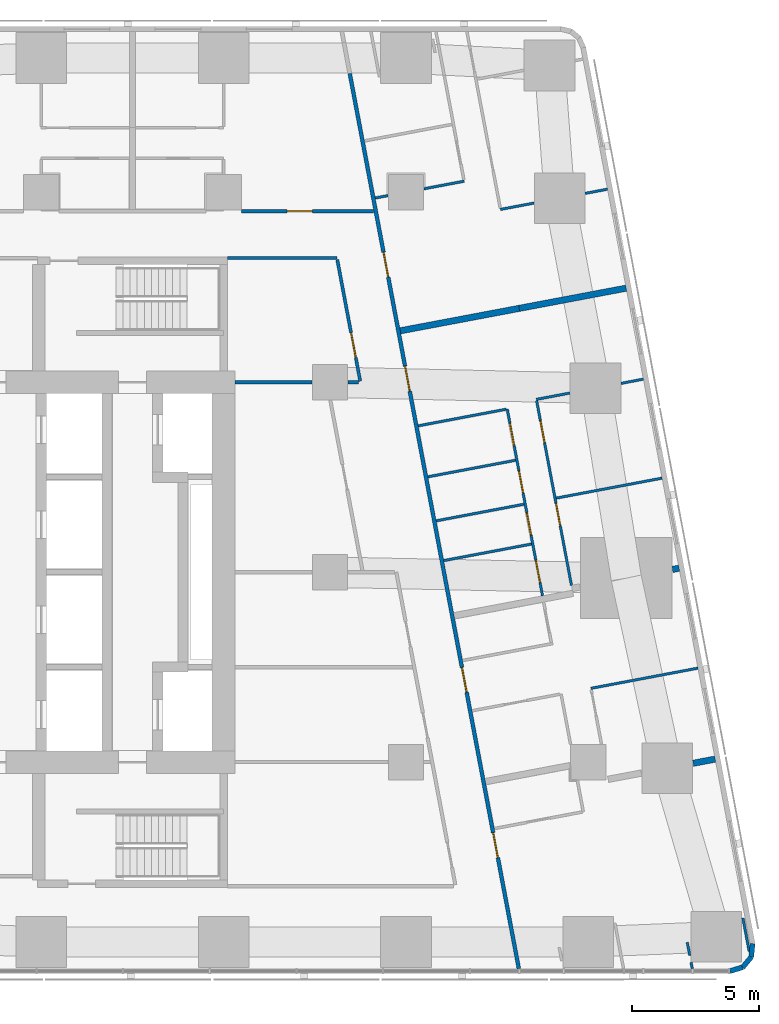
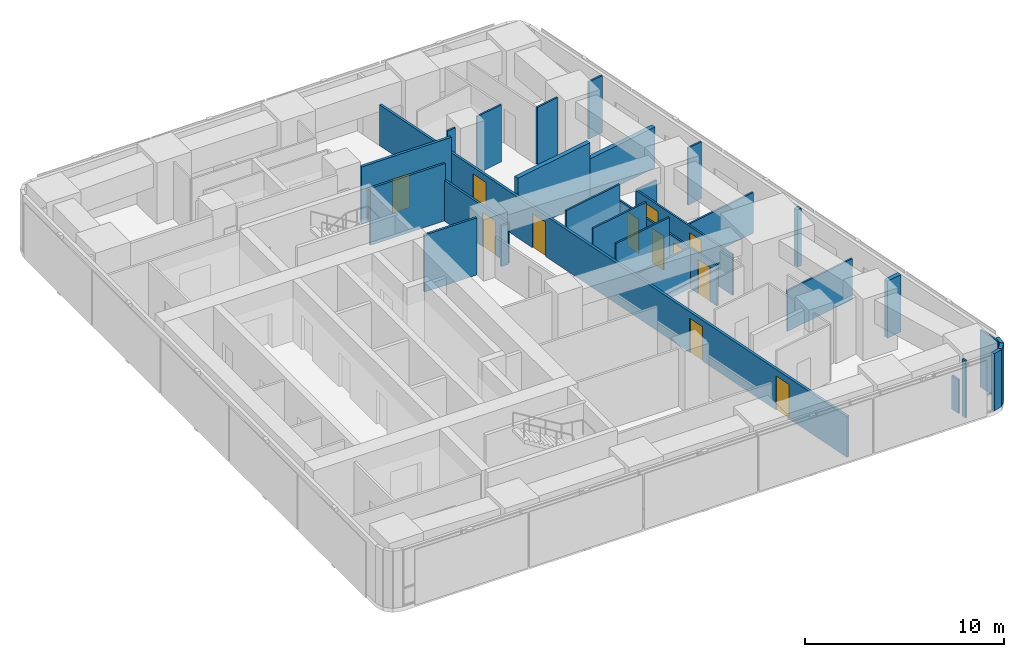
# One storey, part 7 of 11: 30 walls, 12 doors, 12 openings.
"""IFC4 building model written with IfcOpenShell, lengths in metres."""

from ifc_helpers import new_model, si_unit, direction, frame, frame_2d, origin, place, context, subcontext, project, spatial, rectangle, extrude, material, layer, layer_set, type_object, element, fill, save


model = new_model("IFC4")

# Units and contexts
model_context = context("Model", 3, precision=1e-05, world=origin(), true_north=direction((0.0, 1.0)))
body_context = subcontext(model_context, "Body", "Model", "MODEL_VIEW")
ifc_project = project(units=[si_unit("LENGTHUNIT", "METRE"), si_unit("AREAUNIT", "SQUARE_METRE"), si_unit("VOLUMEUNIT", "CUBIC_METRE"), si_unit("PLANEANGLEUNIT", "RADIAN"), si_unit("MASSUNIT", "GRAM", prefix="KILO")], contexts=[model_context])

# Site, building, storey
site_placement = place(None, origin())
site = spatial("IfcSite", under=ifc_project, at=site_placement, CompositionType="ELEMENT")
building_placement = place(site_placement, origin())
building = spatial("IfcBuilding", under=site, at=building_placement, Name="Sheger Commons Tower", CompositionType="ELEMENT")
storey_placement = place(building_placement, frame((0.0, 0.0, 259.10009765625)))
storey = spatial("IfcBuildingStorey", under=building, at=storey_placement, Name="L66", CompositionType="ELEMENT", Elevation=259.10009765625)

# Wall, opening, door
ifc_material_1 = material(Name="Hollow concrete block masonry, skimmed both sides", Category="masonry")
ifc_layer_1 = layer(ifc_material_1, 0.14990234375)
ifc_layer_set_1 = layer_set([ifc_layer_1], Name="CORRIDOR WALL 150")
wall_type_1 = type_object("IfcWallType", Name="CORRIDOR WALL 150", PredefinedType="SOLIDWALL", material=ifc_layer_set_1)
wall_1_placement = place(storey_placement, frame((29.5009765625, 36.75, 0.0), z_axis=(0.0, 0.0, 1.0), x_axis=(1.0, 0.0, 0.0)))
wall_1 = element("IfcWall", 1, at=wall_1_placement, inside=storey, type_object=wall_type_1, Name="Corridor wall L66", PredefinedType="SOLIDWALL", context=body_context, shape_type="SweptSolid", body=[
    extrude(rectangle(XDim=5.216064453125, YDim=0.14990234375, at=frame_2d((2.60791015625, 0.0))), origin(), (0.0, 0.0, 1.0), 3.5),
])
opening_1_placement = place(wall_1_placement, frame((1.802978515625, 0.0, 0.0)))
opening_1 = element("IfcOpeningElement", 2, at=opening_1_placement, cuts=wall_1, Name="Opening D1", PredefinedType="OPENING", context=body_context, shape_type="SweptSolid", body=[
    extrude(rectangle(XDim=1.0, YDim=2.10009765625, at=frame_2d((0.5, 1.050048828125))), frame((0.0, 0.0849609375, 0.0), z_axis=(0.0, -1.0, 0.0), x_axis=(1.0, 0.0, 0.0)), (0.0, 0.0, 1.0), 0.169921875),
])
ifc_material_2 = material(Name="Steel door set, fire rated", Category="steel")
door_type_1 = type_object("IfcDoorType", Name="FLAT ENTRANCE DOOR 1000x2100", OperationType="NOTDEFINED", PredefinedType="DOOR", material=ifc_material_2)
door_1_placement = place(opening_1_placement, origin())
door_1 = element("IfcDoor", 3, at=door_1_placement, inside=storey, type_object=door_type_1, Name="Flat entrance door", OperationType="SINGLE_SWING_LEFT", OverallHeight=2.10009765625, OverallWidth=1.0, PredefinedType="DOOR", context=body_context, shape_type="SweptSolid", body=[
    extrude(rectangle(XDim=1.0, YDim=2.10009765625, at=frame_2d((0.5, 1.050048828125))), frame((0.0, 0.02490234375, 0.0), z_axis=(0.0, -1.0, 0.0), x_axis=(1.0, 0.0, 0.0)), (0.0, 0.0, 1.0), 0.050048828125),
])
fill(opening_1, door_1)

# Wall, openings, doors
wall_2_placement = place(storey_placement, frame((33.781005859375, 42.18603515625, 0.0), z_axis=(0.0, 0.0, 1.0), x_axis=(0.185593518645, -0.9826266055, 0.0)))
wall_2 = element("IfcWall", 4, at=wall_2_placement, inside=storey, type_object=wall_type_1, Name="Corridor wall L66", PredefinedType="SOLIDWALL", context=body_context, shape_type="SweptSolid", body=[
    extrude(rectangle(XDim=35.960693359375, YDim=0.14990234375, at=frame_2d((17.98046875, 0.0))), origin(), (0.0, 0.0, 1.0), 2.5),
])
opening_2_placement = place(wall_2_placement, frame((7.18310546875, 0.0, 0.0)))
opening_2 = element("IfcOpeningElement", 5, at=opening_2_placement, cuts=wall_2, Name="Opening D1", PredefinedType="OPENING", context=body_context, shape_type="SweptSolid", body=[
    extrude(rectangle(XDim=1.0, YDim=2.10009765625, at=frame_2d((0.5, 1.050048828125))), frame((0.0, 0.0849609375, 0.0), z_axis=(0.0, -1.0, 0.0), x_axis=(1.0, 0.0, 0.0)), (0.0, 0.0, 1.0), 0.169921875),
])
opening_3_placement = place(wall_2_placement, frame((11.760009765625, 0.0, 0.0)))
opening_3 = element("IfcOpeningElement", 6, at=opening_3_placement, cuts=wall_2, Name="Opening D1", PredefinedType="OPENING", context=body_context, shape_type="SweptSolid", body=[
    extrude(rectangle(XDim=1.0, YDim=2.10009765625, at=frame_2d((0.5, 1.050048828125))), frame((0.0, 0.0849609375, 0.0), z_axis=(0.0, -1.0, 0.0), x_axis=(1.0, 0.0, 0.0)), (0.0, 0.0, 1.0), 0.169921875),
])
opening_4_placement = place(wall_2_placement, frame((23.863037109375, 0.0, 0.0)))
opening_4 = element("IfcOpeningElement", 7, at=opening_4_placement, cuts=wall_2, Name="Opening D1", PredefinedType="OPENING", context=body_context, shape_type="SweptSolid", body=[
    extrude(rectangle(XDim=1.0, YDim=2.10009765625, at=frame_2d((0.5, 1.050048828125))), frame((0.0, 0.0849609375, 0.0), z_axis=(0.0, -1.0, 0.0), x_axis=(1.0, 0.0, 0.0)), (0.0, 0.0, 1.0), 0.169921875),
])
opening_5_placement = place(wall_2_placement, frame((30.501953125, 0.0, 0.0)))
opening_5 = element("IfcOpeningElement", 8, at=opening_5_placement, cuts=wall_2, Name="Opening D1", PredefinedType="OPENING", context=body_context, shape_type="SweptSolid", body=[
    extrude(rectangle(XDim=1.0, YDim=2.10009765625, at=frame_2d((0.5, 1.050048828125))), frame((0.0, 0.0849609375, 0.0), z_axis=(0.0, -1.0, 0.0), x_axis=(1.0, 0.0, 0.0)), (0.0, 0.0, 1.0), 0.169921875),
])
door_2_placement = place(opening_2_placement, origin())
door_2 = element("IfcDoor", 9, at=door_2_placement, inside=storey, type_object=door_type_1, Name="Flat entrance door", OperationType="SINGLE_SWING_RIGHT", OverallHeight=2.10009765625, OverallWidth=1.0, PredefinedType="DOOR", context=body_context, shape_type="SweptSolid", body=[
    extrude(rectangle(XDim=1.0, YDim=2.10009765625, at=frame_2d((0.5, 1.050048828125))), frame((0.0, 0.02490234375, 0.0), z_axis=(0.0, -1.0, 0.0), x_axis=(1.0, 0.0, 0.0)), (0.0, 0.0, 1.0), 0.050048828125),
])
fill(opening_2, door_2)
door_3_placement = place(opening_3_placement, origin())
door_3 = element("IfcDoor", 10, at=door_3_placement, inside=storey, type_object=door_type_1, Name="Flat entrance door", OperationType="SINGLE_SWING_LEFT", OverallHeight=2.10009765625, OverallWidth=1.0, PredefinedType="DOOR", context=body_context, shape_type="SweptSolid", body=[
    extrude(rectangle(XDim=1.0, YDim=2.10009765625, at=frame_2d((0.5, 1.050048828125))), frame((0.0, 0.02490234375, 0.0), z_axis=(0.0, -1.0, 0.0), x_axis=(1.0, 0.0, 0.0)), (0.0, 0.0, 1.0), 0.050048828125),
])
fill(opening_3, door_3)
door_4_placement = place(opening_4_placement, origin())
door_4 = element("IfcDoor", 11, at=door_4_placement, inside=storey, type_object=door_type_1, Name="Flat entrance door", OperationType="SINGLE_SWING_LEFT", OverallHeight=2.10009765625, OverallWidth=1.0, PredefinedType="DOOR", context=body_context, shape_type="SweptSolid", body=[
    extrude(rectangle(XDim=1.0, YDim=2.10009765625, at=frame_2d((0.5, 1.050048828125))), frame((0.0, 0.02490234375, 0.0), z_axis=(0.0, -1.0, 0.0), x_axis=(1.0, 0.0, 0.0)), (0.0, 0.0, 1.0), 0.050048828125),
])
fill(opening_4, door_4)
door_5_placement = place(opening_5_placement, origin())
door_5 = element("IfcDoor", 12, at=door_5_placement, inside=storey, type_object=door_type_1, Name="Flat entrance door", OperationType="SINGLE_SWING_LEFT", OverallHeight=2.10009765625, OverallWidth=1.0, PredefinedType="DOOR", context=body_context, shape_type="SweptSolid", body=[
    extrude(rectangle(XDim=1.0, YDim=2.10009765625, at=frame_2d((0.5, 1.050048828125))), frame((0.0, 0.02490234375, 0.0), z_axis=(0.0, -1.0, 0.0), x_axis=(1.0, 0.0, 0.0)), (0.0, 0.0, 1.0), 0.050048828125),
])
fill(opening_5, door_5)

# Walls
ifc_material_3 = material(Name="Dense concrete block masonry, plastered both sides (separating wall between flats)", Category="masonry")
ifc_layer_2 = layer(ifc_material_3, 0.25)
ifc_layer_set_2 = layer_set([ifc_layer_2], Name="DEMISING WALL 250")
wall_type_2 = type_object("IfcWallType", Name="DEMISING WALL 250", PredefinedType="SOLIDWALL", material=ifc_layer_set_2)
wall_3_placement = place(storey_placement, frame((44.693115234375, 33.712890625, 0.0), z_axis=(0.0, 0.0, 1.0), x_axis=(-0.982633535512, -0.185556823879, 0.0)))
element("IfcWall", 13, at=wall_3_placement, inside=storey, type_object=wall_type_2, Name="Demising wall L66", PredefinedType="SOLIDWALL", context=body_context, shape_type="SweptSolid", body=[
    extrude(rectangle(XDim=4.2998046875, YDim=0.25, at=frame_2d((2.14990234375, 0.0))), origin(), (0.0, 0.0, 1.0), 2.5),
])
wall_4_placement = place(storey_placement, frame((40.468017578125, 32.9150390625, 0.0), z_axis=(0.0, 0.0, 1.0), x_axis=(-0.982635807605, -0.185544791394, 0.0)))
element("IfcWall", 14, at=wall_4_placement, inside=storey, type_object=wall_type_2, Name="Demising wall L66", PredefinedType="SOLIDWALL", context=body_context, shape_type="SweptSolid", body=[
    extrude(rectangle(XDim=4.775146484375, YDim=0.25, at=frame_2d((2.3876953125, 0.0))), origin(), (0.0, 0.0, 1.0), 3.5),
])
wall_5_placement = place(storey_placement, frame((46.781982421875, 22.656982421875, 0.0), z_axis=(0.0, 0.0, 1.0), x_axis=(-0.982104607121, -0.188336243648, 0.0)))
element("IfcWall", 15, at=wall_5_placement, inside=storey, type_object=wall_type_2, Name="Demising wall L66", PredefinedType="SOLIDWALL", context=body_context, shape_type="SweptSolid", body=[
    extrude(rectangle(XDim=0.265625, YDim=0.25, at=frame_2d((0.1328125, 0.0))), origin(), (0.0, 0.0, 1.0), 3.5),
])
wall_6_placement = place(storey_placement, frame((48.2060546875, 15.1201171875, 0.0), z_axis=(0.0, 0.0, 1.0), x_axis=(-0.982608419258, -0.185689780017, 0.0)))
element("IfcWall", 16, at=wall_6_placement, inside=storey, type_object=wall_type_2, Name="Demising wall L66", PredefinedType="SOLIDWALL", context=body_context, shape_type="SweptSolid", body=[
    extrude(rectangle(XDim=0.883544921875, YDim=0.25, at=frame_2d((0.44189453125, 0.0))), origin(), (0.0, 0.0, 1.0), 3.5),
])
ifc_material_4 = material(Name="Rendered concrete block masonry, dark grey", Category="masonry")
ifc_layer_3 = layer(ifc_material_4, 0.199951171875)
ifc_layer_set_3 = layer_set([ifc_layer_3], Name="FACADE WALL 200")
wall_type_3 = type_object("IfcWallType", Name="FACADE WALL 200", PredefinedType="SOLIDWALL", material=ifc_layer_set_3)
wall_7_placement = place(storey_placement, frame((48.787109375, 6.75, 0.0), z_axis=(0.0, 0.0, 1.0), x_axis=(0.957282247819, 0.289155145225, 0.0)))
element("IfcWall", 17, at=wall_7_placement, inside=storey, type_object=wall_type_3, Name="Facade wall L66", PredefinedType="SOLIDWALL", context=body_context, shape_type="SweptSolid", body=[
    extrude(rectangle(XDim=0.53271484375, YDim=0.199951171875, at=frame_2d((0.266357421875, 0.0))), origin(), (0.0, 0.0, 1.0), 3.5),
])
wall_8_placement = place(storey_placement, frame((49.297119140625, 6.904052734375, 0.0), z_axis=(0.0, 0.0, 1.0), x_axis=(0.639255849474, 0.768994121508, 0.0)))
element("IfcWall", 18, at=wall_8_placement, inside=storey, type_object=wall_type_3, Name="Facade wall L66", PredefinedType="SOLIDWALL", context=body_context, shape_type="SweptSolid", body=[
    extrude(rectangle(XDim=0.517578125, YDim=0.199951171875, at=frame_2d((0.2587890625, 0.0))), origin(), (0.0, 0.0, 1.0), 3.5),
])
wall_9_placement = place(storey_placement, frame((49.6279296875, 7.302001953125, 0.0), z_axis=(0.0, 0.0, 1.0), x_axis=(0.105352390132, 0.994434952068, 0.0)))
element("IfcWall", 19, at=wall_9_placement, inside=storey, type_object=wall_type_3, Name="Facade wall L66", PredefinedType="SOLIDWALL", context=body_context, shape_type="SweptSolid", body=[
    extrude(rectangle(XDim=0.532958984375, YDim=0.199951171875, at=frame_2d((0.2666015625, 0.0))), origin(), (0.0, 0.0, 1.0), 3.5),
])
ifc_material_5 = material(Name="Gypsum board on steel studs", Category="steel")
ifc_layer_4 = layer(ifc_material_5, 0.10009765625)
ifc_layer_set_4 = layer_set([ifc_layer_4], Name="PARTITION 100")
wall_type_4 = type_object("IfcWallType", Name="PARTITION 100", PredefinedType="PARTITIONING", material=ifc_layer_set_4)
wall_10_placement = place(storey_placement, frame((49.300048828125, 8.85107421875, 0.0), z_axis=(0.0, 0.0, 1.0), x_axis=(0.18581620423, -0.982584519645, 0.0)))
element("IfcWall", 20, at=wall_10_placement, inside=storey, type_object=wall_type_4, Name="Partition L66", PredefinedType="PARTITIONING", context=body_context, shape_type="SweptSolid", body=[
    extrude(rectangle(XDim=1.3505859375, YDim=0.10009765625, at=frame_2d((0.67529296875, 0.0))), origin(), (0.0, 0.0, 1.0), 3.5),
])
wall_11_placement = place(storey_placement, frame((47.301025390625, 6.85009765625, 0.0), z_axis=(0.0, 0.0, 1.0), x_axis=(-0.187513903188, 0.982261948826, 0.0)))
element("IfcWall", 21, at=wall_11_placement, inside=storey, type_object=wall_type_4, Name="Partition L66", PredefinedType="PARTITIONING", context=body_context, shape_type="SweptSolid", body=[
    extrude(rectangle(XDim=0.251220703125, YDim=0.10009765625, at=frame_2d((0.12548828125, 0.0))), origin(), (0.0, 0.0, 1.0), 3.5),
])
wall_12_placement = place(storey_placement, frame((47.202880859375, 7.368896484375, 0.0), z_axis=(0.0, 0.0, 1.0), x_axis=(-0.186456243114, 0.982463266185, 0.0)))
element("IfcWall", 22, at=wall_12_placement, inside=storey, type_object=wall_type_4, Name="Partition L66", PredefinedType="PARTITIONING", context=body_context, shape_type="SweptSolid", body=[
    extrude(rectangle(XDim=0.5302734375, YDim=0.10009765625, at=frame_2d((0.26513671875, 0.0))), origin(), (0.0, 0.0, 1.0), 2.0498046875),
])
wall_13_placement = place(storey_placement, frame((43.955078125, 37.6201171875, 0.0), z_axis=(0.0, 0.0, 1.0), x_axis=(-0.982708424405, -0.18515980288, 0.0)))
element("IfcWall", 23, at=wall_13_placement, inside=storey, type_object=wall_type_4, Name="Partition L66", PredefinedType="PARTITIONING", context=body_context, shape_type="SweptSolid", body=[
    extrude(rectangle(XDim=0.896728515625, YDim=0.10009765625, at=frame_2d((0.4482421875, 0.0))), origin(), (0.0, 0.0, 1.0), 3.5),
])
wall_14_placement = place(storey_placement, frame((41.053955078125, 37.072021484375, 0.0), z_axis=(0.0, 0.0, 1.0), x_axis=(-0.982635482721, -0.18554651195, 0.0)))
element("IfcWall", 24, at=wall_14_placement, inside=storey, type_object=wall_type_4, Name="Partition L66", PredefinedType="PARTITIONING", context=body_context, shape_type="SweptSolid", body=[
    extrude(rectangle(XDim=1.347412109375, YDim=0.10009765625, at=frame_2d((0.673828125, 0.0))), origin(), (0.0, 0.0, 1.0), 3.5),
])
wall_15_placement = place(storey_placement, frame((38.299072265625, 37.93505859375, 0.0), z_axis=(0.0, 0.0, 1.0), x_axis=(-0.98263725405, -0.185537130931, 0.0)))
element("IfcWall", 25, at=wall_15_placement, inside=storey, type_object=wall_type_4, Name="Partition L66", PredefinedType="PARTITIONING", context=body_context, shape_type="SweptSolid", body=[
    extrude(rectangle(XDim=1.6171875, YDim=0.10009765625, at=frame_2d((0.80859375, 0.0))), origin(), (0.0, 0.0, 1.0), 3.5),
])
wall_16_placement = place(storey_placement, frame((35.2900390625, 37.365966796875, 0.0), z_axis=(0.0, 0.0, 1.0), x_axis=(-0.982715597703, -0.185121727606, 0.0)))
element("IfcWall", 26, at=wall_16_placement, inside=storey, type_object=wall_type_4, Name="Partition L66", PredefinedType="PARTITIONING", context=body_context, shape_type="SweptSolid", body=[
    extrude(rectangle(XDim=0.512939453125, YDim=0.10009765625, at=frame_2d((0.25634765625, 0.0))), origin(), (0.0, 0.0, 1.0), 3.5),
])

# Wall, openings, doors
wall_17_placement = place(storey_placement, frame((41.156982421875, 29.27294921875, 0.0), z_axis=(0.0, 0.0, 1.0), x_axis=(0.18542464283, -0.982658486877, 0.0)))
wall_17 = element("IfcWall", 27, at=wall_17_placement, inside=storey, type_object=wall_type_4, Name="Partition L66", PredefinedType="PARTITIONING", context=body_context, shape_type="SweptSolid", body=[
    extrude(rectangle(XDim=7.420654296875, YDim=0.10009765625, at=frame_2d((3.71044921875, 0.0))), origin(), (0.0, 0.0, 1.0), 2.5),
])
opening_6_placement = place(wall_17_placement, frame((0.800048828125, 0.0, 0.0)))
opening_6 = element("IfcOpeningElement", 28, at=opening_6_placement, cuts=wall_17, Name="Opening D2", PredefinedType="OPENING", context=body_context, shape_type="SweptSolid", body=[
    extrude(rectangle(XDim=0.89990234375, YDim=2.10009765625, at=frame_2d((0.449951171875, 1.050048828125))), frame((0.0, 0.06005859375, 0.0), z_axis=(0.0, -1.0, 0.0), x_axis=(1.0, 0.0, 0.0)), (0.0, 0.0, 1.0), 0.1201171875),
])
opening_7_placement = place(wall_17_placement, frame((4.1259765625, 0.0, 0.0)))
opening_7 = element("IfcOpeningElement", 29, at=opening_7_placement, cuts=wall_17, Name="Opening D2", PredefinedType="OPENING", context=body_context, shape_type="SweptSolid", body=[
    extrude(rectangle(XDim=0.89990234375, YDim=2.10009765625, at=frame_2d((0.449951171875, 1.050048828125))), frame((0.0, 0.06005859375, 0.0), z_axis=(0.0, -1.0, 0.0), x_axis=(1.0, 0.0, 0.0)), (0.0, 0.0, 1.0), 0.1201171875),
])
ifc_material_6 = material(Name="Timber door set", Category="wood")
door_type_2 = type_object("IfcDoorType", Name="INTERNAL DOOR 900x2100", OperationType="NOTDEFINED", PredefinedType="DOOR", material=ifc_material_6)
door_6_placement = place(opening_6_placement, origin())
door_6 = element("IfcDoor", 30, at=door_6_placement, inside=storey, type_object=door_type_2, Name="Main bedroom door", OperationType="SINGLE_SWING_LEFT", OverallHeight=2.10009765625, OverallWidth=0.89990234375, PredefinedType="DOOR", context=body_context, shape_type="SweptSolid", body=[
    extrude(rectangle(XDim=0.89990234375, YDim=2.10009765625, at=frame_2d((0.449951171875, 1.050048828125))), frame((0.0, 0.02490234375, 0.0), z_axis=(0.0, -1.0, 0.0), x_axis=(1.0, 0.0, 0.0)), (0.0, 0.0, 1.0), 0.050048828125),
])
fill(opening_6, door_6)
door_7_placement = place(opening_7_placement, origin())
door_7 = element("IfcDoor", 31, at=door_7_placement, inside=storey, type_object=door_type_2, Name="Bedroom 2 door", OperationType="SINGLE_SWING_LEFT", OverallHeight=2.10009765625, OverallWidth=0.89990234375, PredefinedType="DOOR", context=body_context, shape_type="SweptSolid", body=[
    extrude(rectangle(XDim=0.89990234375, YDim=2.10009765625, at=frame_2d((0.449951171875, 1.050048828125))), frame((0.0, 0.02490234375, 0.0), z_axis=(0.0, -1.0, 0.0), x_axis=(1.0, 0.0, 0.0)), (0.0, 0.0, 1.0), 0.050048828125),
])
fill(opening_7, door_7)

wall_18_placement = place(storey_placement, frame((39.9970703125, 28.94189453125, 0.0), z_axis=(0.0, 0.0, 1.0), x_axis=(0.185686318797, -0.982609073341, 0.0)))
wall_18 = element("IfcWall", 32, at=wall_18_placement, inside=storey, type_object=wall_type_4, Name="Partition L66", PredefinedType="PARTITIONING", context=body_context, shape_type="SweptSolid", body=[
    extrude(rectangle(XDim=7.507568359375, YDim=0.10009765625, at=frame_2d((3.75390625, 0.0))), origin(), (0.0, 0.0, 1.0), 2.5),
])
opening_8_placement = place(wall_18_placement, frame((0.575927734375, 0.0, 0.0)))
opening_8 = element("IfcOpeningElement", 33, at=opening_8_placement, cuts=wall_18, Name="Opening D2", PredefinedType="OPENING", context=body_context, shape_type="SweptSolid", body=[
    extrude(rectangle(XDim=0.89990234375, YDim=2.10009765625, at=frame_2d((0.449951171875, 1.050048828125))), frame((0.0, 0.06005859375, 0.0), z_axis=(0.0, -1.0, 0.0), x_axis=(1.0, 0.0, 0.0)), (0.0, 0.0, 1.0), 0.1201171875),
])
opening_9_placement = place(wall_18_placement, frame((4.166015625, 0.0, 0.0)))
opening_9 = element("IfcOpeningElement", 34, at=opening_9_placement, cuts=wall_18, Name="Opening D2", PredefinedType="OPENING", context=body_context, shape_type="SweptSolid", body=[
    extrude(rectangle(XDim=0.89990234375, YDim=2.10009765625, at=frame_2d((0.449951171875, 1.050048828125))), frame((0.0, 0.06005859375, 0.0), z_axis=(0.0, -1.0, 0.0), x_axis=(1.0, 0.0, 0.0)), (0.0, 0.0, 1.0), 0.1201171875),
])
opening_10_placement = place(wall_18_placement, frame((2.48291015625, 0.0, 0.0)))
opening_10 = element("IfcOpeningElement", 35, at=opening_10_placement, cuts=wall_18, Name="Opening D2", PredefinedType="OPENING", context=body_context, shape_type="SweptSolid", body=[
    extrude(rectangle(XDim=0.89990234375, YDim=2.10009765625, at=frame_2d((0.449951171875, 1.050048828125))), frame((0.0, 0.06005859375, 0.0), z_axis=(0.0, -1.0, 0.0), x_axis=(1.0, 0.0, 0.0)), (0.0, 0.0, 1.0), 0.1201171875),
])
opening_11_placement = place(wall_18_placement, frame((6.073974609375, 0.0, 0.0)))
opening_11 = element("IfcOpeningElement", 36, at=opening_11_placement, cuts=wall_18, Name="Opening D2", PredefinedType="OPENING", context=body_context, shape_type="SweptSolid", body=[
    extrude(rectangle(XDim=0.89990234375, YDim=2.10009765625, at=frame_2d((0.449951171875, 1.050048828125))), frame((0.0, 0.06005859375, 0.0), z_axis=(0.0, -1.0, 0.0), x_axis=(1.0, 0.0, 0.0)), (0.0, 0.0, 1.0), 0.1201171875),
])
door_8_placement = place(opening_8_placement, origin())
door_8 = element("IfcDoor", 37, at=door_8_placement, inside=storey, type_object=door_type_2, Name="Bathroom door", OperationType="SINGLE_SWING_RIGHT", OverallHeight=2.10009765625, OverallWidth=0.89990234375, PredefinedType="DOOR", context=body_context, shape_type="SweptSolid", body=[
    extrude(rectangle(XDim=0.89990234375, YDim=2.10009765625, at=frame_2d((0.449951171875, 1.050048828125))), frame((0.0, 0.02490234375, 0.0), z_axis=(0.0, -1.0, 0.0), x_axis=(1.0, 0.0, 0.0)), (0.0, 0.0, 1.0), 0.050048828125),
])
fill(opening_8, door_8)
door_9_placement = place(opening_9_placement, origin())
door_9 = element("IfcDoor", 38, at=door_9_placement, inside=storey, type_object=door_type_2, Name="Shower room door", OperationType="SINGLE_SWING_RIGHT", OverallHeight=2.10009765625, OverallWidth=0.89990234375, PredefinedType="DOOR", context=body_context, shape_type="SweptSolid", body=[
    extrude(rectangle(XDim=0.89990234375, YDim=2.10009765625, at=frame_2d((0.449951171875, 1.050048828125))), frame((0.0, 0.02490234375, 0.0), z_axis=(0.0, -1.0, 0.0), x_axis=(1.0, 0.0, 0.0)), (0.0, 0.0, 1.0), 0.050048828125),
])
fill(opening_9, door_9)
door_10_placement = place(opening_10_placement, origin())
door_10 = element("IfcDoor", 39, at=door_10_placement, inside=storey, type_object=door_type_2, Name="Store door", OperationType="SINGLE_SWING_RIGHT", OverallHeight=2.10009765625, OverallWidth=0.89990234375, PredefinedType="DOOR", context=body_context, shape_type="SweptSolid", body=[
    extrude(rectangle(XDim=0.89990234375, YDim=2.10009765625, at=frame_2d((0.449951171875, 1.050048828125))), frame((0.0, 0.02490234375, 0.0), z_axis=(0.0, -1.0, 0.0), x_axis=(1.0, 0.0, 0.0)), (0.0, 0.0, 1.0), 0.050048828125),
])
fill(opening_10, door_10)
door_11_placement = place(opening_11_placement, origin())
door_11 = element("IfcDoor", 40, at=door_11_placement, inside=storey, type_object=door_type_2, Name="Store door", OperationType="SINGLE_SWING_LEFT", OverallHeight=2.10009765625, OverallWidth=0.89990234375, PredefinedType="DOOR", context=body_context, shape_type="SweptSolid", body=[
    extrude(rectangle(XDim=0.89990234375, YDim=2.10009765625, at=frame_2d((0.449951171875, 1.050048828125))), frame((0.0, 0.02490234375, 0.0), z_axis=(0.0, -1.0, 0.0), x_axis=(1.0, 0.0, 0.0)), (0.0, 0.0, 1.0), 0.050048828125),
])
fill(opening_11, door_11)

# Walls
wall_19_placement = place(storey_placement, frame((45.3720703125, 30.12109375, 0.0), z_axis=(0.0, 0.0, 1.0), x_axis=(-0.982547416156, -0.186012297994, 0.0)))
element("IfcWall", 41, at=wall_19_placement, inside=storey, type_object=wall_type_4, Name="Partition L66", PredefinedType="PARTITIONING", context=body_context, shape_type="SweptSolid", body=[
    extrude(rectangle(XDim=0.897705078125, YDim=0.10009765625, at=frame_2d((0.44873046875, 0.0))), origin(), (0.0, 0.0, 1.0), 3.5),
])
wall_20_placement = place(storey_placement, frame((42.469970703125, 29.572021484375, 0.0), z_axis=(0.0, 0.0, 1.0), x_axis=(-0.982610503289, -0.185678751683, 0.0)))
element("IfcWall", 42, at=wall_20_placement, inside=storey, type_object=wall_type_4, Name="Partition L66", PredefinedType="PARTITIONING", context=body_context, shape_type="SweptSolid", body=[
    extrude(rectangle(XDim=1.346435546875, YDim=0.10009765625, at=frame_2d((0.67333984375, 0.0))), origin(), (0.0, 0.0, 1.0), 2.5),
])
wall_21_placement = place(storey_placement, frame((46.110107421875, 26.212890625, 0.0), z_axis=(0.0, 0.0, 1.0), x_axis=(-0.982623519589, -0.185609856287, 0.0)))
element("IfcWall", 43, at=wall_21_placement, inside=storey, type_object=wall_type_4, Name="Partition L66", PredefinedType="PARTITIONING", context=body_context, shape_type="SweptSolid", body=[
    extrude(rectangle(XDim=4.249755859375, YDim=0.10009765625, at=frame_2d((2.125, 0.0))), origin(), (0.0, 0.0, 1.0), 2.5),
])
wall_22_placement = place(storey_placement, frame((39.947998046875, 28.93310546875, 0.0), z_axis=(0.0, 0.0, 1.0), x_axis=(-0.982588017646, -0.185797706064, 0.0)))
element("IfcWall", 44, at=wall_22_placement, inside=storey, type_object=wall_type_4, Name="Partition L66", PredefinedType="PARTITIONING", context=body_context, shape_type="SweptSolid", body=[
    extrude(rectangle(XDim=3.525390625, YDim=0.10009765625, at=frame_2d((1.7626953125, 0.0))), origin(), (0.0, 0.0, 1.0), 3.5),
])
wall_23_placement = place(storey_placement, frame((40.656005859375, 25.18310546875, 0.0), z_axis=(0.0, 0.0, 1.0), x_axis=(-0.982576058723, -0.185860939478, 0.0)))
element("IfcWall", 45, at=wall_23_placement, inside=storey, type_object=wall_type_4, Name="Partition L66", PredefinedType="PARTITIONING", context=body_context, shape_type="SweptSolid", body=[
    extrude(rectangle(XDim=3.5244140625, YDim=0.10009765625, at=frame_2d((1.76220703125, 0.0))), origin(), (0.0, 0.0, 1.0), 3.5),
])
wall_24_placement = place(storey_placement, frame((40.3291015625, 26.91796875, 0.0), z_axis=(0.0, 0.0, 1.0), x_axis=(-0.982638553676, -0.185530247748, 0.0)))
element("IfcWall", 46, at=wall_24_placement, inside=storey, type_object=wall_type_4, Name="Partition L66", PredefinedType="PARTITIONING", context=body_context, shape_type="SweptSolid", body=[
    extrude(rectangle(XDim=3.525390625, YDim=0.10009765625, at=frame_2d((1.7626953125, 0.0))), origin(), (0.0, 0.0, 1.0), 3.5),
])
wall_25_placement = place(storey_placement, frame((40.9541015625, 23.610107421875, 0.0), z_axis=(0.0, 0.0, 1.0), x_axis=(-0.98264808502, -0.18547975902, 0.0)))
element("IfcWall", 47, at=wall_25_placement, inside=storey, type_object=wall_type_4, Name="Partition L66", PredefinedType="PARTITIONING", context=body_context, shape_type="SweptSolid", body=[
    extrude(rectangle(XDim=3.5263671875, YDim=0.10009765625, at=frame_2d((1.76318359375, 0.0))), origin(), (0.0, 0.0, 1.0), 2.5),
])
wall_26_placement = place(storey_placement, frame((47.527099609375, 18.7119140625, 0.0), z_axis=(0.0, 0.0, 1.0), x_axis=(-0.982633535512, -0.185556823879, 0.0)))
element("IfcWall", 48, at=wall_26_placement, inside=storey, type_object=wall_type_4, Name="Partition L66", PredefinedType="PARTITIONING", context=body_context, shape_type="SweptSolid", body=[
    extrude(rectangle(XDim=4.2998046875, YDim=0.10009765625, at=frame_2d((2.14990234375, 0.0))), origin(), (0.0, 0.0, 1.0), 2.5),
])
ifc_material_7 = material(Name="Gypsum board on steel studs, two layers each side, fire rated", Category="steel")
ifc_layer_5 = layer(ifc_material_7, 0.125)
ifc_layer_set_5 = layer_set([ifc_layer_5], Name="SERVICE WALL 125")
wall_type_5 = type_object("IfcWallType", Name="SERVICE WALL 125", PredefinedType="PARTITIONING", material=ifc_layer_set_5)
wall_27_placement = place(storey_placement, frame((28.949951171875, 34.89990234375, 0.0), z_axis=(0.0, 0.0, 1.0), x_axis=(1.0, 0.0, 0.0)))
element("IfcWall", 49, at=wall_27_placement, inside=storey, type_object=wall_type_5, Name="Service room wall L66", PredefinedType="PARTITIONING", context=body_context, shape_type="SweptSolid", body=[
    extrude(rectangle(XDim=4.333984375, YDim=0.125, at=frame_2d((2.1669921875, 0.0))), origin(), (0.0, 0.0, 1.0), 3.5),
])

# Wall, opening, door
wall_28_placement = place(storey_placement, frame((34.193115234375, 30.0400390625, 0.0), z_axis=(0.0, 0.0, 1.0), x_axis=(-0.185556349615, 0.98263362507, 0.0)))
wall_28 = element("IfcWall", 50, at=wall_28_placement, inside=storey, type_object=wall_type_5, Name="Service room wall L66", PredefinedType="PARTITIONING", context=body_context, shape_type="SweptSolid", body=[
    extrude(rectangle(XDim=4.882568359375, YDim=0.125, at=frame_2d((2.44140625, 0.0))), origin(), (0.0, 0.0, 1.0), 2.5),
])
opening_12_placement = place(wall_28_placement, frame((0.949951171875, 0.0, 0.0)))
opening_12 = element("IfcOpeningElement", 51, at=opening_12_placement, cuts=wall_28, Name="Opening D4", PredefinedType="OPENING", context=body_context, shape_type="SweptSolid", body=[
    extrude(rectangle(XDim=1.0, YDim=2.10009765625, at=frame_2d((0.5, 1.050048828125))), frame((0.0, 0.072509765625, 0.0), z_axis=(0.0, -1.0, 0.0), x_axis=(1.0, 0.0, 0.0)), (0.0, 0.0, 1.0), 0.14501953125),
])
ifc_material_8 = material(Name="Steel door set, fire rated", Category="steel")
door_type_3 = type_object("IfcDoorType", Name="SERVICE DOOR 1000x2100", OperationType="NOTDEFINED", PredefinedType="DOOR", material=ifc_material_8)
door_12_placement = place(opening_12_placement, origin())
door_12 = element("IfcDoor", 52, at=door_12_placement, inside=storey, type_object=door_type_3, Name="Linen store door", OperationType="SINGLE_SWING_LEFT", OverallHeight=2.10009765625, OverallWidth=1.0, PredefinedType="DOOR", context=body_context, shape_type="SweptSolid", body=[
    extrude(rectangle(XDim=1.0, YDim=2.10009765625, at=frame_2d((0.5, 1.050048828125))), frame((0.0, 0.02490234375, 0.0), z_axis=(0.0, -1.0, 0.0), x_axis=(1.0, 0.0, 0.0)), (0.0, 0.0, 1.0), 0.050048828125),
])
fill(opening_12, door_12)

# Walls
wall_29_placement = place(storey_placement, frame((29.25, 30.0, 0.0), z_axis=(0.0, 0.0, 1.0), x_axis=(1.0, 0.0, 0.0)))
element("IfcWall", 53, at=wall_29_placement, inside=storey, type_object=wall_type_5, Name="Service room wall L66", PredefinedType="PARTITIONING", context=body_context, shape_type="SweptSolid", body=[
    extrude(rectangle(XDim=3.049072265625, YDim=0.125, at=frame_2d((1.5244140625, 0.0))), origin(), (0.0, 0.0, 1.0), 3.5),
])
wall_30_placement = place(storey_placement, frame((33.700927734375, 30.0, 0.0), z_axis=(0.0, 0.0, 1.0), x_axis=(1.0, 0.0, 0.0)))
element("IfcWall", 54, at=wall_30_placement, inside=storey, type_object=wall_type_5, Name="Service room wall L66", PredefinedType="PARTITIONING", context=body_context, shape_type="SweptSolid", body=[
    extrude(rectangle(XDim=0.424072265625, YDim=0.125, at=frame_2d((0.2119140625, 0.0))), origin(), (0.0, 0.0, 1.0), 2.5),
])

save(model, "model.ifc")
